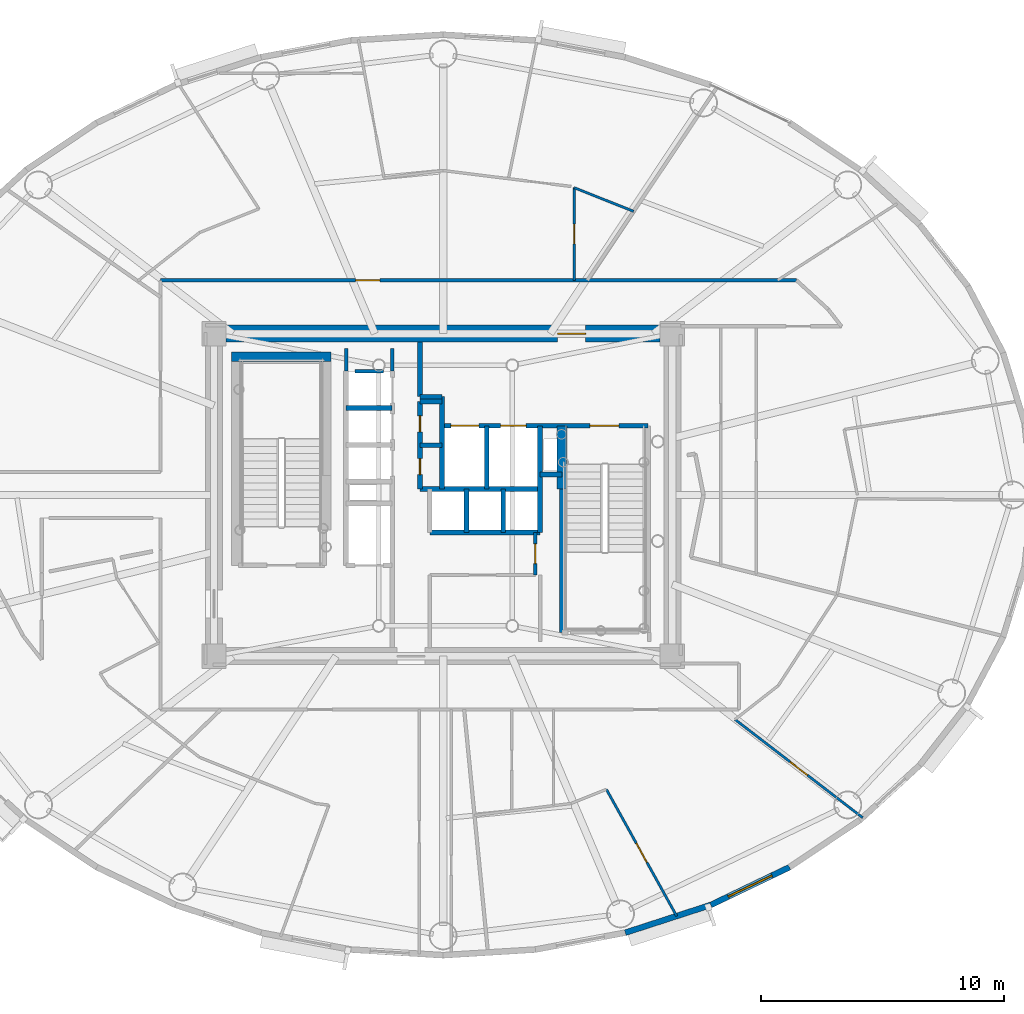
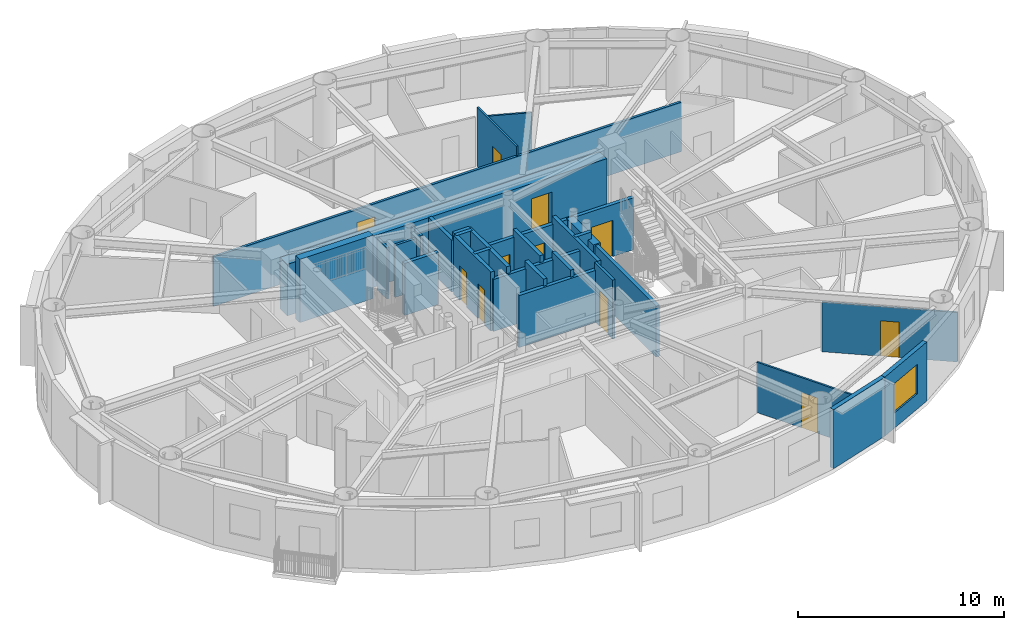
# One storey, part 8 of 16: 30 walls, 11 doors, 1 window, 12 openings.
"""IFC4 building model written with IfcOpenShell, lengths in metres."""

from ifc_helpers import new_model, si_unit, direction, frame, frame_2d, origin, origin_2d, place, context, subcontext, project, spatial, rectangle, extrude, source, transform, mapped, material, layer, layer_set, type_object, element, fill, save


model = new_model("IFC4")

# Units and contexts
model_context = context("Model", 3, precision=1e-05, world=origin(), true_north=direction((0.0, 1.0)))
body_context = subcontext(model_context, "Body", "Model", "MODEL_VIEW")
ifc_project = project(units=[si_unit("LENGTHUNIT", "METRE"), si_unit("AREAUNIT", "SQUARE_METRE"), si_unit("VOLUMEUNIT", "CUBIC_METRE"), si_unit("PLANEANGLEUNIT", "RADIAN"), si_unit("MASSUNIT", "GRAM", prefix="KILO")], contexts=[model_context])

# Site, building, storey
site_placement = place(None, origin())
site = spatial("IfcSite", under=ifc_project, at=site_placement, CompositionType="ELEMENT")
building_placement = place(site_placement, origin())
building = spatial("IfcBuilding", under=site, at=building_placement, Name="Linh Dai School and Residence Tower", CompositionType="ELEMENT")
storey_placement = place(building_placement, frame((0.0, 0.0, 255.300048828125)))
storey = spatial("IfcBuildingStorey", under=building, at=storey_placement, Name="L63", CompositionType="ELEMENT", Elevation=255.300048828125)

# Wall
ifc_material_1 = material(Name="Precast Concrete B45 (C35/45)", Category="concrete")
ifc_layer_1 = layer(ifc_material_1, 0.239990234375)
ifc_layer_set_1 = layer_set([ifc_layer_1], Name="Precast Concrete B45 (C35/45)")
wall_type_1 = type_object("IfcWallType", Name="EW-TC-240", PredefinedType="SOLIDWALL", material=ifc_layer_set_1)
wall_1_placement = place(storey_placement, frame((47.031005859375, 10.093505859375, 0.0), z_axis=(0.0, 0.0, 1.0), x_axis=(-0.951210789182, -0.308541787354, 0.0)))
element("IfcWall", 1, at=wall_1_placement, inside=storey, type_object=wall_type_1, Name="L63 Terracotta Exterior Wall 33", PredefinedType="SOLIDWALL", context=body_context, shape_type="SweptSolid", body=[
    extrude(rectangle(XDim=3.702392578125, YDim=0.239990234375, at=frame_2d((1.85107421875, 0.0))), origin(), (0.0, 0.0, 1.0), 3.5),
])

# Wall, opening, window
wall_2_placement = place(storey_placement, frame((50.280029296875, 11.65234375, 0.0), z_axis=(0.0, 0.0, 1.0), x_axis=(-0.901598104751, -0.432574684313, 0.0)))
wall_2 = element("IfcWall", 2, at=wall_2_placement, inside=storey, type_object=wall_type_1, Name="L63 Terracotta Exterior Wall 34", PredefinedType="SOLIDWALL", context=body_context, shape_type="SweptSolid", body=[
    extrude(rectangle(XDim=3.603515625, YDim=0.239990234375, at=frame_2d((1.8017578125, 0.0))), origin(), (0.0, 0.0, 1.0), 3.5),
])
opening_1_placement = place(wall_2_placement, frame((0.802001953125, 0.0, 0.89990234375)))
opening_1 = element("IfcOpeningElement", 3, at=opening_1_placement, cuts=wall_2, Name="Opening W1", PredefinedType="OPENING", context=body_context, shape_type="SweptSolid", body=[
    extrude(rectangle(XDim=2.0, YDim=1.75, at=origin_2d()), frame((1.0, 0.1298828125, 0.875), z_axis=(0.0, -1.0, 0.0), x_axis=(1.0, 0.0, 0.0)), (0.0, 0.0, 1.0), 0.260009765625),
])
ifc_material_2 = material(Name="Double Low-E Insulated Glazing", Category="glass")
window_type = type_object("IfcWindowType", Name="WN-RES-2000x1750", PartitioningType="DOUBLE_PANEL_VERTICAL", PredefinedType="WINDOW", material=ifc_material_2)
shared_shape_1 = source(origin(), body_context, "Body", "SweptSolid", [
    extrude(rectangle(XDim=2.0, YDim=1.75, at=origin_2d()), frame((1.0, 0.030029296875, 0.875), z_axis=(0.0, -1.0, 0.0), x_axis=(1.0, 0.0, 0.0)), (0.0, 0.0, 1.0), 0.06005859375),
])
window_placement = place(opening_1_placement, origin())
window = element("IfcWindow", 4, at=window_placement, inside=storey, type_object=window_type, Name="L63 Exterior Window 34.1", OverallHeight=1.75, OverallWidth=2.0, PartitioningType="DOUBLE_PANEL_VERTICAL", PredefinedType="WINDOW", context=body_context, shape_type="MappedRepresentation", body=[
    mapped(shared_shape_1, transform((0.0, 0.0, 0.0), x_axis=(1.0, 0.0, 0.0), y_axis=(0.0, 1.0, 0.0), z_axis=(0.0, 0.0, 1.0), scale=1.0)),
])
fill(opening_1, window)

# Wall, opening, door
ifc_material_3 = material(Name="Autoclaved Aerated Concrete Blockwork", Category="masonry")
ifc_layer_2 = layer(ifc_material_3, 0.135009765625)
ifc_layer_set_2 = layer_set([ifc_layer_2], Name="Autoclaved Aerated Concrete Blockwork")
wall_type_2 = type_object("IfcWallType", Name="IW-CORR-135-EI90", PredefinedType="PARTITIONING", material=ifc_layer_set_2)
wall_3_placement = place(storey_placement, frame((24.35009765625, 35.85009765625, 0.0), z_axis=(0.0, 0.0, 1.0), x_axis=(1.0, 0.0, 0.0)))
wall_3 = element("IfcWall", 5, at=wall_3_placement, inside=storey, type_object=wall_type_2, Name="L63 Interior Partition Wall 020", PredefinedType="PARTITIONING", context=body_context, shape_type="SweptSolid", body=[
    extrude(rectangle(XDim=26.2177734375, YDim=0.135009765625, at=frame_2d((13.10888671875, 0.0))), origin(), (0.0, 0.0, 1.0), 2.93505859375),
])
opening_2_placement = place(wall_3_placement, frame((8.04541015625, 0.0, 0.0)))
opening_2 = element("IfcOpeningElement", 6, at=opening_2_placement, cuts=wall_3, Name="Opening D03", PredefinedType="OPENING", context=body_context, shape_type="SweptSolid", body=[
    extrude(rectangle(XDim=1.0, YDim=2.14990234375, at=origin_2d()), frame((0.5, 0.07763671875, 1.074951171875), z_axis=(0.0, -1.0, 0.0), x_axis=(1.0, 0.0, 0.0)), (0.0, 0.0, 1.0), 0.155029296875),
])
ifc_material_4 = material(Name="Fire-Rated Solid Timber Entrance Door", Category="wood")
door_type_1 = type_object("IfcDoorType", Name="DR-FLAT-1000x2150-FD60S", OperationType="NOTDEFINED", PredefinedType="DOOR", material=ifc_material_4)
shared_shape_2 = source(origin(), body_context, "Body", "SweptSolid", [
    extrude(rectangle(XDim=1.0, YDim=2.14990234375, at=origin_2d()), frame((0.5, 0.02490234375, 1.074951171875), z_axis=(0.0, -1.0, 0.0), x_axis=(1.0, 0.0, 0.0)), (0.0, 0.0, 1.0), 0.050048828125),
])
door_1_placement = place(opening_2_placement, origin())
door_1 = element("IfcDoor", 7, at=door_1_placement, inside=storey, type_object=door_type_1, Name="L63 U6305 Apartment Entrance Door", OperationType="SINGLE_SWING_RIGHT", OverallHeight=2.14990234375, OverallWidth=1.0, PredefinedType="DOOR", context=body_context, shape_type="MappedRepresentation", body=[
    mapped(shared_shape_2, transform((0.0, 0.0, 0.0), x_axis=(1.0, 0.0, 0.0), y_axis=(0.0, 1.0, 0.0), z_axis=(0.0, 0.0, 1.0), scale=1.0)),
])
fill(opening_2, door_1)

wall_4_placement = place(storey_placement, frame((39.800048828125, 23.699951171875, 0.0), z_axis=(0.0, 0.0, 1.0), x_axis=(0.0, 1.0, 0.0)))
wall_4 = element("IfcWall", 8, at=wall_4_placement, inside=storey, type_object=wall_type_2, Name="L63 Interior Partition Wall 060", PredefinedType="PARTITIONING", context=body_context, shape_type="SweptSolid", body=[
    extrude(rectangle(XDim=1.75, YDim=0.135009765625, at=frame_2d((0.875, 0.0))), origin(), (0.0, 0.0, 1.0), 3.5),
])
opening_3_placement = place(wall_4_placement, frame((0.465087890625, 0.0, 0.0)))
opening_3 = element("IfcOpeningElement", 9, at=opening_3_placement, cuts=wall_4, Name="Opening D06", PredefinedType="OPENING", context=body_context, shape_type="SweptSolid", body=[
    extrude(rectangle(XDim=0.820068359375, YDim=2.10009765625, at=origin_2d()), frame((0.41015625, 0.07763671875, 1.050048828125), z_axis=(0.0, -1.0, 0.0), x_axis=(1.0, 0.0, 0.0)), (0.0, 0.0, 1.0), 0.155029296875),
])
ifc_material_5 = material(Name="Moisture-Resistant Timber Bathroom Door", Category="wood")
door_type_2 = type_object("IfcDoorType", Name="DR-WET-820x2100", OperationType="NOTDEFINED", PredefinedType="DOOR", material=ifc_material_5)
shared_shape_3 = source(origin(), body_context, "Body", "SweptSolid", [
    extrude(rectangle(XDim=0.820068359375, YDim=2.10009765625, at=origin_2d()), frame((0.41015625, 0.02490234375, 1.050048828125), z_axis=(0.0, -1.0, 0.0), x_axis=(1.0, 0.0, 0.0)), (0.0, 0.0, 1.0), 0.050048828125),
])
door_2_placement = place(opening_3_placement, origin())
door_2 = element("IfcDoor", 10, at=door_2_placement, inside=storey, type_object=door_type_2, Name="L63 Core Housekeeping Store Door", OperationType="SINGLE_SWING_LEFT", OverallHeight=2.10009765625, OverallWidth=0.820068359375, PredefinedType="DOOR", context=body_context, shape_type="MappedRepresentation", body=[
    mapped(shared_shape_3, transform((0.0, 0.0, 0.0), x_axis=(1.0, 0.0, 0.0), y_axis=(0.0, 1.0, 0.0), z_axis=(0.0, 0.0, 1.0), scale=1.0)),
])
fill(opening_3, door_2)

# Walls
wall_5_placement = place(storey_placement, frame((32.360107421875, 32.10009765625, 0.0), z_axis=(0.0, 0.0, 1.0), x_axis=(1.0, 0.0, 0.0)))
element("IfcWall", 11, at=wall_5_placement, inside=storey, type_object=wall_type_2, Name="L63 Interior Partition Wall 089", PredefinedType="PARTITIONING", context=body_context, shape_type="SweptSolid", body=[
    extrude(rectangle(XDim=1.179931640625, YDim=0.135009765625, at=frame_2d((0.58984375, 0.0))), origin(), (0.0, 0.0, 1.0), 3.0849609375),
])
wall_6_placement = place(storey_placement, frame((32.0, 33.0400390625, 0.0), z_axis=(0.0, 0.0, 1.0), x_axis=(0.0, -1.0, 0.0)))
element("IfcWall", 12, at=wall_6_placement, inside=storey, type_object=wall_type_2, Name="L63 Interior Partition Wall 091", PredefinedType="PARTITIONING", context=body_context, shape_type="SweptSolid", body=[
    extrude(rectangle(XDim=0.929931640625, YDim=0.135009765625, at=frame_2d((0.46484375, 0.0))), origin(), (0.0, 0.0, 1.0), 3.034912109375),
])
wall_7_placement = place(storey_placement, frame((33.89990234375, 32.110107421875, 0.0), z_axis=(0.0, 0.0, 1.0), x_axis=(0.0, 1.0, 0.0)))
element("IfcWall", 13, at=wall_7_placement, inside=storey, type_object=wall_type_2, Name="L63 Interior Partition Wall 093", PredefinedType="PARTITIONING", context=body_context, shape_type="SweptSolid", body=[
    extrude(rectangle(XDim=0.929931640625, YDim=0.135009765625, at=frame_2d((0.46484375, 0.0))), origin(), (0.0, 0.0, 1.0), 3.0849609375),
])
ifc_material_6 = material(Name="Concrete B45 (C35/45)", Category="concrete")
ifc_layer_3 = layer(ifc_material_6, 0.199951171875)
ifc_layer_set_3 = layer_set([ifc_layer_3], Name="Concrete B45 (C35/45)")
wall_type_3 = type_object("IfcWallType", Name="IW-SHAFT-200-EI120", PredefinedType="PARTITIONING", material=ifc_layer_set_3)
wall_8_placement = place(storey_placement, frame((32.0, 30.580078125, 0.0), z_axis=(0.0, 0.0, 1.0), x_axis=(1.0, 0.0, 0.0)))
element("IfcWall", 14, at=wall_8_placement, inside=storey, type_object=wall_type_3, Name="L63 Interior Partition Wall 034", PredefinedType="PARTITIONING", context=body_context, shape_type="SweptSolid", body=[
    extrude(rectangle(XDim=1.89990234375, YDim=0.199951171875, at=frame_2d((0.949951171875, 0.0))), origin(), (0.0, 0.0, 1.0), 3.0849609375),
])

# Wall, openings, doors
wall_9_placement = place(storey_placement, frame((35.050048828125, 27.25, 0.0), z_axis=(0.0, 0.0, 1.0), x_axis=(0.0, 1.0, 0.0)))
wall_9 = element("IfcWall", 15, at=wall_9_placement, inside=storey, type_object=wall_type_3, Name="L63 Interior Partition Wall 039", PredefinedType="PARTITIONING", context=body_context, shape_type="SweptSolid", body=[
    extrude(rectangle(XDim=3.60009765625, YDim=0.199951171875, at=frame_2d((1.800048828125, 0.0))), origin(), (0.0, 0.0, 1.0), 3.5),
])
opening_4_placement = place(wall_9_placement, frame((0.590087890625, 0.0, 0.0)))
opening_4 = element("IfcOpeningElement", 16, at=opening_4_placement, cuts=wall_9, Name="Opening AD1", PredefinedType="OPENING", context=body_context, shape_type="SweptSolid", body=[
    extrude(rectangle(XDim=0.659912109375, YDim=2.050048828125, at=origin_2d()), frame((0.330078125, 0.10986328125, 1.02490234375), z_axis=(0.0, -1.0, 0.0), x_axis=(1.0, 0.0, 0.0)), (0.0, 0.0, 1.0), 0.219970703125),
])
opening_5_placement = place(wall_9_placement, frame((2.35009765625, 0.0, 0.0)))
opening_5 = element("IfcOpeningElement", 17, at=opening_5_placement, cuts=wall_9, Name="Opening AD1", PredefinedType="OPENING", context=body_context, shape_type="SweptSolid", body=[
    extrude(rectangle(XDim=0.659912109375, YDim=2.050048828125, at=origin_2d()), frame((0.330078125, 0.10986328125, 1.02490234375), z_axis=(0.0, -1.0, 0.0), x_axis=(1.0, 0.0, 0.0)), (0.0, 0.0, 1.0), 0.219970703125),
])
ifc_material_7 = material(Name="Fire-Rated Steel Riser Access Door", Category="steel")
door_type_3 = type_object("IfcDoorType", Name="DR-ACC-660x2050-FD90S", OperationType="NOTDEFINED", PredefinedType="USERDEFINED", material=ifc_material_7)
shared_shape_4 = source(origin(), body_context, "Body", "SweptSolid", [
    extrude(rectangle(XDim=0.659912109375, YDim=2.050048828125, at=origin_2d()), frame((0.330078125, 0.02490234375, 1.02490234375), z_axis=(0.0, -1.0, 0.0), x_axis=(1.0, 0.0, 0.0)), (0.0, 0.0, 1.0), 0.050048828125),
])
door_3_placement = place(opening_4_placement, origin())
door_3 = element("IfcDoor", 18, at=door_3_placement, inside=storey, type_object=door_type_3, Name="L63 Telecom and Data Riser Access Door", ObjectType="ACCESS DOOR", OperationType="SINGLE_SWING_RIGHT", OverallHeight=2.050048828125, OverallWidth=0.659912109375, PredefinedType="USERDEFINED", context=body_context, shape_type="MappedRepresentation", body=[
    mapped(shared_shape_4, transform((0.0, 0.0, 0.0), x_axis=(1.0, 0.0, 0.0), y_axis=(0.0, 1.0, 0.0), z_axis=(0.0, 0.0, 1.0), scale=1.0)),
])
fill(opening_4, door_3)
door_4_placement = place(opening_5_placement, origin())
door_4 = element("IfcDoor", 19, at=door_4_placement, inside=storey, type_object=door_type_3, Name="L63 Mechanical and Plumbing Riser Access Door", ObjectType="ACCESS DOOR", OperationType="SINGLE_SWING_LEFT", OverallHeight=2.050048828125, OverallWidth=0.659912109375, PredefinedType="USERDEFINED", context=body_context, shape_type="MappedRepresentation", body=[
    mapped(shared_shape_4, transform((0.0, 0.0, 0.0), x_axis=(1.0, 0.0, 0.0), y_axis=(0.0, 1.0, 0.0), z_axis=(0.0, 0.0, 1.0), scale=1.0)),
])
fill(opening_5, door_4)

# Walls
wall_10_placement = place(storey_placement, frame((35.050048828125, 27.25, 0.0), z_axis=(0.0, 0.0, 1.0), x_axis=(1.0, 0.0, 0.0)))
element("IfcWall", 20, at=wall_10_placement, inside=storey, type_object=wall_type_3, Name="L63 Interior Partition Wall 040", PredefinedType="PARTITIONING", context=body_context, shape_type="SweptSolid", body=[
    extrude(rectangle(XDim=4.949951171875, YDim=0.199951171875, at=frame_2d((2.47509765625, 0.0))), origin(), (0.0, 0.0, 1.0), 3.0849609375),
])
for number, where, z_axis, x_axis, name in (
    (21, (35.050048828125, 29.050048828125, 0.0), (0.0, 0.0, 1.0), (1.0, 0.0, 0.0), "L63 Interior Partition Wall 041"),
    (22, (35.050048828125, 30.85009765625, 0.0), (0.0, 0.0, 1.0), (1.0, 0.0, 0.0), "L63 Interior Partition Wall 042"),
):
    element("IfcWall", number, at=place(storey_placement, frame(where, z_axis=z_axis, x_axis=x_axis)), inside=storey, type_object=wall_type_3, Name=name, PredefinedType="PARTITIONING", context=body_context, shape_type="SweptSolid", body=[
        extrude(rectangle(XDim=0.89990234375, YDim=0.199951171875, at=frame_2d((0.449951171875, 0.0))), origin(), (0.0, 0.0, 1.0), 3.5),
    ])
wall_11_placement = place(storey_placement, frame((35.050048828125, 31.050048828125, 0.0), z_axis=(0.0, 0.0, 1.0), x_axis=(0.0, 1.0, 0.0)))
element("IfcWall", 23, at=wall_11_placement, inside=storey, type_object=wall_type_3, Name="L63 Interior Partition Wall 043", PredefinedType="PARTITIONING", context=body_context, shape_type="SweptSolid", body=[
    extrude(rectangle(XDim=2.25, YDim=0.199951171875, at=frame_2d((1.125, 0.0))), origin(), (0.0, 0.0, 1.0), 3.0849609375),
])
wall_12_placement = place(storey_placement, frame((35.050048828125, 31.050048828125, 0.0), z_axis=(0.0, 0.0, 1.0), x_axis=(1.0, 0.0, 0.0)))
element("IfcWall", 24, at=wall_12_placement, inside=storey, type_object=wall_type_3, Name="L63 Interior Partition Wall 044", PredefinedType="PARTITIONING", context=body_context, shape_type="SweptSolid", body=[
    extrude(rectangle(XDim=0.89990234375, YDim=0.199951171875, at=frame_2d((0.449951171875, 0.0))), origin(), (0.0, 0.0, 1.0), 3.5),
])
wall_13_placement = place(storey_placement, frame((35.449951171875, 25.449951171875, 0.0), z_axis=(0.0, 0.0, 1.0), x_axis=(1.0, 0.0, 0.0)))
element("IfcWall", 25, at=wall_13_placement, inside=storey, type_object=wall_type_3, Name="L63 Interior Partition Wall 048", PredefinedType="PARTITIONING", context=body_context, shape_type="SweptSolid", body=[
    extrude(rectangle(XDim=4.550048828125, YDim=0.199951171875, at=frame_2d((2.27490234375, 0.0))), origin(), (0.0, 0.0, 1.0), 3.0849609375),
])
wall_14_placement = place(storey_placement, frame((35.949951171875, 27.25, 0.0), z_axis=(0.0, 0.0, 1.0), x_axis=(0.0, 1.0, 0.0)))
element("IfcWall", 26, at=wall_14_placement, inside=storey, type_object=wall_type_3, Name="L63 Interior Partition Wall 049", PredefinedType="PARTITIONING", context=body_context, shape_type="SweptSolid", body=[
    extrude(rectangle(XDim=3.800048828125, YDim=0.199951171875, at=frame_2d((1.89990234375, 0.0))), origin(), (0.0, 0.0, 1.0), 3.5),
])

# Wall, openings, doors
wall_15_placement = place(storey_placement, frame((35.949951171875, 29.85009765625, 0.0), z_axis=(0.0, 0.0, 1.0), x_axis=(1.0, 0.0, 0.0)))
wall_15 = element("IfcWall", 27, at=wall_15_placement, inside=storey, type_object=wall_type_3, Name="L63 Interior Partition Wall 050", PredefinedType="PARTITIONING", context=body_context, shape_type="SweptSolid", body=[
    extrude(rectangle(XDim=8.489990234375, YDim=0.199951171875, at=frame_2d((4.2451171875, 0.0))), origin(), (0.0, 0.0, 1.0), 3.0849609375),
])
opening_6_placement = place(wall_15_placement, frame((6.10009765625, 0.0, 0.0)))
opening_6 = element("IfcOpeningElement", 28, at=opening_6_placement, cuts=wall_15, Name="Opening D01", PredefinedType="OPENING", context=body_context, shape_type="SweptSolid", body=[
    extrude(rectangle(XDim=1.199951171875, YDim=2.14990234375, at=origin_2d()), frame((0.60009765625, 0.10986328125, 1.074951171875), z_axis=(0.0, -1.0, 0.0), x_axis=(1.0, 0.0, 0.0)), (0.0, 0.0, 1.0), 0.219970703125),
])
opening_7_placement = place(wall_15_placement, frame((0.3701171875, 0.0, 0.0)))
opening_7 = element("IfcOpeningElement", 29, at=opening_7_placement, cuts=wall_15, Name="Opening LD-FF1", PredefinedType="OPENING", context=body_context, shape_type="SweptSolid", body=[
    extrude(rectangle(XDim=1.14990234375, YDim=2.14990234375, at=origin_2d()), frame((0.574951171875, 0.10986328125, 1.074951171875), z_axis=(0.0, -1.0, 0.0), x_axis=(1.0, 0.0, 0.0)), (0.0, 0.0, 1.0), 0.219970703125),
])
opening_8_placement = place(wall_15_placement, frame((2.425048828125, 0.0, 0.0)))
opening_8 = element("IfcOpeningElement", 30, at=opening_8_placement, cuts=wall_15, Name="Opening LD-SV1", PredefinedType="OPENING", context=body_context, shape_type="SweptSolid", body=[
    extrude(rectangle(XDim=1.050048828125, YDim=2.14990234375, at=origin_2d()), frame((0.52490234375, 0.10986328125, 1.074951171875), z_axis=(0.0, -1.0, 0.0), x_axis=(1.0, 0.0, 0.0)), (0.0, 0.0, 1.0), 0.219970703125),
])
ifc_material_8 = material(Name="Fire-Rated Steel Door Leaf", Category="steel")
door_type_4 = type_object("IfcDoorType", Name="DR-STAIR-1200x2150-FD90S", OperationType="NOTDEFINED", PredefinedType="DOOR", material=ifc_material_8)
shared_shape_5 = source(origin(), body_context, "Body", "SweptSolid", [
    extrude(rectangle(XDim=1.199951171875, YDim=2.14990234375, at=origin_2d()), frame((0.60009765625, 0.02490234375, 1.074951171875), z_axis=(0.0, -1.0, 0.0), x_axis=(1.0, 0.0, 0.0)), (0.0, 0.0, 1.0), 0.050048828125),
])
door_5_placement = place(opening_6_placement, origin())
door_5 = element("IfcDoor", 31, at=door_5_placement, inside=storey, type_object=door_type_4, Name="L63 Core Smokeproof Exit Stair ST2 Door", OperationType="SINGLE_SWING_LEFT", OverallHeight=2.14990234375, OverallWidth=1.199951171875, PredefinedType="DOOR", context=body_context, shape_type="MappedRepresentation", body=[
    mapped(shared_shape_5, transform((0.0, 0.0, 0.0), x_axis=(1.0, 0.0, 0.0), y_axis=(0.0, 1.0, 0.0), z_axis=(0.0, 0.0, 1.0), scale=1.0)),
])
fill(opening_6, door_5)
ifc_material_9 = material(Name="Fire-Rated Stainless Steel Firefighting Lift Door", Category="steel")
door_type_5 = type_object("IfcDoorType", Name="DR-LD-FF-1150x2150-FD120", OperationType="DOUBLE_DOOR_SLIDING", PredefinedType="USERDEFINED", material=ifc_material_9)
shared_shape_6 = source(origin(), body_context, "Body", "SweptSolid", [
    extrude(rectangle(XDim=1.14990234375, YDim=2.14990234375, at=origin_2d()), frame((0.574951171875, 0.02490234375, 1.074951171875), z_axis=(0.0, -1.0, 0.0), x_axis=(1.0, 0.0, 0.0)), (0.0, 0.0, 1.0), 0.050048828125),
])
door_6_placement = place(opening_7_placement, origin())
door_6 = element("IfcDoor", 32, at=door_6_placement, inside=storey, type_object=door_type_5, Name="L63 Lift FF1 Sliding Landing Door", ObjectType="LANDING DOOR", OperationType="DOUBLE_DOOR_SLIDING", OverallHeight=2.14990234375, OverallWidth=1.14990234375, PredefinedType="USERDEFINED", context=body_context, shape_type="MappedRepresentation", body=[
    mapped(shared_shape_6, transform((0.0, 0.0, 0.0), x_axis=(1.0, 0.0, 0.0), y_axis=(0.0, 1.0, 0.0), z_axis=(0.0, 0.0, 1.0), scale=1.0)),
])
fill(opening_7, door_6)
ifc_material_10 = material(Name="Brushed Stainless Steel Lift Landing Door", Category="steel")
door_type_6 = type_object("IfcDoorType", Name="DR-LD-PASS-1050x2150", OperationType="DOUBLE_DOOR_SLIDING", PredefinedType="USERDEFINED", material=ifc_material_10)
shared_shape_7 = source(origin(), body_context, "Body", "SweptSolid", [
    extrude(rectangle(XDim=1.050048828125, YDim=2.14990234375, at=origin_2d()), frame((0.52490234375, 0.02490234375, 1.074951171875), z_axis=(0.0, -1.0, 0.0), x_axis=(1.0, 0.0, 0.0)), (0.0, 0.0, 1.0), 0.050048828125),
])
door_7_placement = place(opening_8_placement, origin())
door_7 = element("IfcDoor", 33, at=door_7_placement, inside=storey, type_object=door_type_6, Name="L63 Lift SV1 Sliding Landing Door", ObjectType="LANDING DOOR", OperationType="DOUBLE_DOOR_SLIDING", OverallHeight=2.14990234375, OverallWidth=1.050048828125, PredefinedType="USERDEFINED", context=body_context, shape_type="MappedRepresentation", body=[
    mapped(shared_shape_7, transform((0.0, 0.0, 0.0), x_axis=(1.0, 0.0, 0.0), y_axis=(0.0, 1.0, 0.0), z_axis=(0.0, 0.0, 1.0), scale=1.0)),
])
fill(opening_8, door_7)

# Walls
wall_16_placement = place(storey_placement, frame((36.9599609375, 25.449951171875, 0.0), z_axis=(0.0, 0.0, 1.0), x_axis=(0.0, 1.0, 0.0)))
element("IfcWall", 34, at=wall_16_placement, inside=storey, type_object=wall_type_3, Name="L63 Interior Partition Wall 054", PredefinedType="PARTITIONING", context=body_context, shape_type="SweptSolid", body=[
    extrude(rectangle(XDim=1.800048828125, YDim=0.199951171875, at=frame_2d((0.89990234375, 0.0))), origin(), (0.0, 0.0, 1.0), 3.5),
])
wall_17_placement = place(storey_placement, frame((37.800048828125, 27.25, 0.0), z_axis=(0.0, 0.0, 1.0), x_axis=(0.0, 1.0, 0.0)))
element("IfcWall", 35, at=wall_17_placement, inside=storey, type_object=wall_type_3, Name="L63 Interior Partition Wall 056", PredefinedType="PARTITIONING", context=body_context, shape_type="SweptSolid", body=[
    extrude(rectangle(XDim=2.60009765625, YDim=0.199951171875, at=frame_2d((1.300048828125, 0.0))), origin(), (0.0, 0.0, 1.0), 3.5),
])
wall_18_placement = place(storey_placement, frame((38.47998046875, 25.449951171875, 0.0), z_axis=(0.0, 0.0, 1.0), x_axis=(0.0, 1.0, 0.0)))
element("IfcWall", 36, at=wall_18_placement, inside=storey, type_object=wall_type_3, Name="L63 Interior Partition Wall 057", PredefinedType="PARTITIONING", context=body_context, shape_type="SweptSolid", body=[
    extrude(rectangle(XDim=1.800048828125, YDim=0.199951171875, at=frame_2d((0.89990234375, 0.0))), origin(), (0.0, 0.0, 1.0), 3.5),
])
wall_19_placement = place(storey_placement, frame((40.0, 25.449951171875, 0.0), z_axis=(0.0, 0.0, 1.0), x_axis=(0.0, 1.0, 0.0)))
element("IfcWall", 37, at=wall_19_placement, inside=storey, type_object=wall_type_3, Name="L63 Interior Partition Wall 061", PredefinedType="PARTITIONING", context=body_context, shape_type="SweptSolid", body=[
    extrude(rectangle(XDim=4.400146484375, YDim=0.199951171875, at=frame_2d((2.2001953125, 0.0))), origin(), (0.0, 0.0, 1.0), 3.5),
])
wall_20_placement = place(storey_placement, frame((40.0, 27.85009765625, 0.0), z_axis=(0.0, 0.0, 1.0), x_axis=(1.0, 0.0, 0.0)))
element("IfcWall", 38, at=wall_20_placement, inside=storey, type_object=wall_type_3, Name="L63 Interior Partition Wall 062", PredefinedType="PARTITIONING", context=body_context, shape_type="SweptSolid", body=[
    extrude(rectangle(XDim=0.89990234375, YDim=0.199951171875, at=frame_2d((0.449951171875, 0.0))), origin(), (0.0, 0.0, 1.0), 3.5),
])
wall_21_placement = place(storey_placement, frame((40.89990234375, 21.330078125, 0.0), z_axis=(0.0, 0.0, 1.0), x_axis=(0.0, 1.0, 0.0)))
element("IfcWall", 39, at=wall_21_placement, inside=storey, type_object=wall_type_3, Name="L63 Interior Partition Wall 064", PredefinedType="PARTITIONING", context=body_context, shape_type="SweptSolid", body=[
    extrude(rectangle(XDim=5.909912109375, YDim=0.199951171875, at=frame_2d((2.955078125, 0.0))), origin(), (0.0, 0.0, 1.0), 3.034912109375),
])

# Wall, opening, door
ifc_material_11 = material(Name="Gypsum Plasterboard Acoustic Stud Partition", Category="masonry")
ifc_layer_4 = layer(ifc_material_11, 0.10009765625)
ifc_layer_set_4 = layer_set([ifc_layer_4], Name="Gypsum Plasterboard Acoustic Stud Partition")
wall_type_4 = type_object("IfcWallType", Name="IW-UNIT-100", PredefinedType="PARTITIONING", material=ifc_layer_set_4)
wall_22_placement = place(storey_placement, frame((41.400634765625, 35.85009765625, 0.0), z_axis=(0.0, 0.0, 1.0), x_axis=(0.0, 1.0, 0.0)))
wall_22 = element("IfcWall", 40, at=wall_22_placement, inside=storey, type_object=wall_type_4, Name="L63 Interior Partition Wall 067", PredefinedType="PARTITIONING", context=body_context, shape_type="SweptSolid", body=[
    extrude(rectangle(XDim=3.81982421875, YDim=0.10009765625, at=frame_2d((1.909912109375, 0.0))), origin(), (0.0, 0.0, 1.0), 3.5),
])
opening_9_placement = place(wall_22_placement, frame((1.5, 0.0, 0.0)))
opening_9 = element("IfcOpeningElement", 41, at=opening_9_placement, cuts=wall_22, Name="Opening D06", PredefinedType="OPENING", context=body_context, shape_type="SweptSolid", body=[
    extrude(rectangle(XDim=0.820068359375, YDim=2.10009765625, at=origin_2d()), frame((0.41015625, 0.06005859375, 1.050048828125), z_axis=(0.0, -1.0, 0.0), x_axis=(1.0, 0.0, 0.0)), (0.0, 0.0, 1.0), 0.1201171875),
])
door_8_placement = place(opening_9_placement, origin())
door_8 = element("IfcDoor", 42, at=door_8_placement, inside=storey, type_object=door_type_2, Name="L63 Apartment U6305 Bathroom 1 Door", OperationType="SINGLE_SWING_RIGHT", OverallHeight=2.10009765625, OverallWidth=0.820068359375, PredefinedType="DOOR", context=body_context, shape_type="MappedRepresentation", body=[
    mapped(shared_shape_3, transform((0.0, 0.0, 0.0), x_axis=(1.0, 0.0, 0.0), y_axis=(0.0, 1.0, 0.0), z_axis=(0.0, 0.0, 1.0), scale=1.0)),
])
fill(opening_9, door_8)

# Wall
wall_23_placement = place(storey_placement, frame((41.400634765625, 39.669921875, 0.0), z_axis=(0.0, 0.0, 1.0), x_axis=(0.92880772077, -0.370562029677, 0.0)))
element("IfcWall", 43, at=wall_23_placement, inside=storey, type_object=wall_type_4, Name="L63 Interior Partition Wall 068", PredefinedType="PARTITIONING", context=body_context, shape_type="SweptSolid", body=[
    extrude(rectangle(XDim=2.641845703125, YDim=0.10009765625, at=frame_2d((1.32080078125, 0.0))), origin(), (0.0, 0.0, 1.0), 2.93505859375),
])

# Wall, opening, door
wall_24_placement = place(storey_placement, frame((42.73193359375, 14.861083984375, 0.0), z_axis=(0.0, 0.0, 1.0), x_axis=(0.485004680322, -0.874511555136, 0.0)))
wall_24 = element("IfcWall", 44, at=wall_24_placement, inside=storey, type_object=wall_type_4, Name="L63 Interior Partition Wall 070", PredefinedType="PARTITIONING", context=body_context, shape_type="SweptSolid", body=[
    extrude(rectangle(XDim=5.97705078125, YDim=0.10009765625, at=frame_2d((2.988525390625, 0.0))), origin(), (0.0, 0.0, 1.0), 2.98486328125),
])
opening_10_placement = place(wall_24_placement, frame((2.53857421875, 0.0, 0.0)))
opening_10 = element("IfcOpeningElement", 45, at=opening_10_placement, cuts=wall_24, Name="Opening D05", PredefinedType="OPENING", context=body_context, shape_type="SweptSolid", body=[
    extrude(rectangle(XDim=0.89990234375, YDim=2.10009765625, at=origin_2d()), frame((0.449951171875, 0.06005859375, 1.050048828125), z_axis=(0.0, -1.0, 0.0), x_axis=(1.0, 0.0, 0.0)), (0.0, 0.0, 1.0), 0.1201171875),
])
ifc_material_12 = material(Name="Engineered Timber Internal Door", Category="wood")
door_type_7 = type_object("IfcDoorType", Name="DR-INT-900x2100", OperationType="NOTDEFINED", PredefinedType="DOOR", material=ifc_material_12)
shared_shape_8 = source(origin(), body_context, "Body", "SweptSolid", [
    extrude(rectangle(XDim=0.89990234375, YDim=2.10009765625, at=origin_2d()), frame((0.449951171875, 0.02490234375, 1.050048828125), z_axis=(0.0, -1.0, 0.0), x_axis=(1.0, 0.0, 0.0)), (0.0, 0.0, 1.0), 0.050048828125),
])
door_9_placement = place(opening_10_placement, origin())
door_9 = element("IfcDoor", 46, at=door_9_placement, inside=storey, type_object=door_type_7, Name="L63 Apartment U6303 Bedroom 1 Door", OperationType="SINGLE_SWING_RIGHT", OverallHeight=2.10009765625, OverallWidth=0.89990234375, PredefinedType="DOOR", context=body_context, shape_type="MappedRepresentation", body=[
    mapped(shared_shape_8, transform((0.0, 0.0, 0.0), x_axis=(1.0, 0.0, 0.0), y_axis=(0.0, 1.0, 0.0), z_axis=(0.0, 0.0, 1.0), scale=1.0)),
])
fill(opening_10, door_9)

wall_25_placement = place(storey_placement, frame((48.0341796875, 17.74267578125, 0.0), z_axis=(0.0, 0.0, 1.0), x_axis=(0.792617155724, -0.609719644141, 0.0)))
wall_25 = element("IfcWall", 47, at=wall_25_placement, inside=storey, type_object=wall_type_4, Name="L63 Interior Partition Wall 077", PredefinedType="PARTITIONING", context=body_context, shape_type="SweptSolid", body=[
    extrude(rectangle(XDim=6.640869140625, YDim=0.10009765625, at=frame_2d((3.3203125, 0.0))), origin(), (0.0, 0.0, 1.0), 2.93505859375),
])
opening_11_placement = place(wall_25_placement, frame((2.870361328125, 0.0, 0.0)))
opening_11 = element("IfcOpeningElement", 48, at=opening_11_placement, cuts=wall_25, Name="Opening D05", PredefinedType="OPENING", context=body_context, shape_type="SweptSolid", body=[
    extrude(rectangle(XDim=0.89990234375, YDim=2.10009765625, at=origin_2d()), frame((0.449951171875, 0.06005859375, 1.050048828125), z_axis=(0.0, -1.0, 0.0), x_axis=(1.0, 0.0, 0.0)), (0.0, 0.0, 1.0), 0.1201171875),
])
door_10_placement = place(opening_11_placement, origin())
door_10 = element("IfcDoor", 49, at=door_10_placement, inside=storey, type_object=door_type_7, Name="L63 Apartment U6303 Principal Bedroom 2 Door", OperationType="SINGLE_SWING_LEFT", OverallHeight=2.10009765625, OverallWidth=0.89990234375, PredefinedType="DOOR", context=body_context, shape_type="MappedRepresentation", body=[
    mapped(shared_shape_8, transform((0.0, 0.0, 0.0), x_axis=(1.0, 0.0, 0.0), y_axis=(0.0, 1.0, 0.0), z_axis=(0.0, 0.0, 1.0), scale=1.0)),
])
fill(opening_11, door_10)

# Walls
ifc_layer_5 = layer(ifc_material_6, 0.39990234375)
ifc_layer_set_5 = layer_set([ifc_layer_5], Name="Concrete B45 (C35/45)")
wall_type_5 = type_object("IfcWallType", Name="WL-CORE400", PredefinedType="SHEAR", material=ifc_layer_set_5)
wall_26_placement = place(storey_placement, frame((27.280029296875, 32.699951171875, 0.0), z_axis=(0.0, 0.0, 1.0), x_axis=(1.0, 0.0, 0.0)))
element("IfcWall", 50, at=wall_26_placement, inside=storey, type_object=wall_type_5, Name="L63 Core Stair ST1 Bearing Wall N", PredefinedType="SHEAR", context=body_context, shape_type="SweptSolid", body=[
    extrude(rectangle(XDim=4.099853515625, YDim=0.39990234375, at=frame_2d((2.0498046875, 0.0))), origin(), (0.0, 0.0, 1.0), 3.75),
])
wall_27_placement = place(storey_placement, frame((40.89990234375, 27.25, 0.0), z_axis=(0.0, 0.0, 1.0), x_axis=(0.0, 1.0, 0.0)))
element("IfcWall", 51, at=wall_27_placement, inside=storey, type_object=wall_type_5, Name="L63 Internal Core Shear Wall IE", PredefinedType="SHEAR", context=body_context, shape_type="SweptSolid", body=[
    extrude(rectangle(XDim=2.60009765625, YDim=0.39990234375, at=frame_2d((1.300048828125, 0.0))), origin(), (0.0, 0.0, 1.0), 3.099853515625),
])

# Wall, opening, door
ifc_layer_6 = layer(ifc_material_6, 0.699951171875)
ifc_layer_set_6 = layer_set([ifc_layer_6], Name="Concrete B45 (C35/45)")
wall_type_6 = type_object("IfcWallType", Name="WL-CORE700", PredefinedType="SHEAR", material=ifc_layer_set_6)
wall_28_placement = place(storey_placement, frame((27.050048828125, 33.64990234375, 0.0), z_axis=(0.0, 0.0, 1.0), x_axis=(1.0, 0.0, 0.0)))
wall_28 = element("IfcWall", 52, at=wall_28_placement, inside=storey, type_object=wall_type_6, Name="L63 Central Core Shear Wall N", PredefinedType="SHEAR", context=body_context, shape_type="SweptSolid", body=[
    extrude(rectangle(XDim=17.89990234375, YDim=0.699951171875, at=frame_2d((8.949951171875, 0.0))), origin(), (0.0, 0.0, 1.0), 3.050048828125),
])
opening_12_placement = place(wall_28_placement, frame((13.675048828125, 0.0, 0.0)))
opening_12 = element("IfcOpeningElement", 53, at=opening_12_placement, cuts=wall_28, Name="Opening D02", PredefinedType="OPENING", context=body_context, shape_type="SweptSolid", body=[
    extrude(rectangle(XDim=1.14990234375, YDim=2.14990234375, at=origin_2d()), frame((0.574951171875, 0.35986328125, 1.074951171875), z_axis=(0.0, -1.0, 0.0), x_axis=(1.0, 0.0, 0.0)), (0.0, 0.0, 1.0), 0.719970703125),
])
ifc_material_13 = material(Name="Fire-Rated Glazed Steel Lobby Door", Category="steel")
door_type_8 = type_object("IfcDoorType", Name="DR-LOBBY-1150x2150-FD90S", OperationType="NOTDEFINED", PredefinedType="DOOR", material=ifc_material_13)
shared_shape_9 = source(origin(), body_context, "Body", "SweptSolid", [
    extrude(rectangle(XDim=1.14990234375, YDim=2.14990234375, at=origin_2d()), frame((0.574951171875, 0.02490234375, 1.074951171875), z_axis=(0.0, -1.0, 0.0), x_axis=(1.0, 0.0, 0.0)), (0.0, 0.0, 1.0), 0.050048828125),
])
door_11_placement = place(opening_12_placement, origin())
door_11 = element("IfcDoor", 54, at=door_11_placement, inside=storey, type_object=door_type_8, Name="L63 Firefighting Lobby Door", OperationType="SINGLE_SWING_RIGHT", OverallHeight=2.14990234375, OverallWidth=1.14990234375, PredefinedType="DOOR", context=body_context, shape_type="MappedRepresentation", body=[
    mapped(shared_shape_9, transform((0.0, 0.0, 0.0), x_axis=(1.0, 0.0, 0.0), y_axis=(0.0, 1.0, 0.0), z_axis=(0.0, 0.0, 1.0), scale=1.0)),
])
fill(opening_12, door_11)

save(model, "model.ifc")
